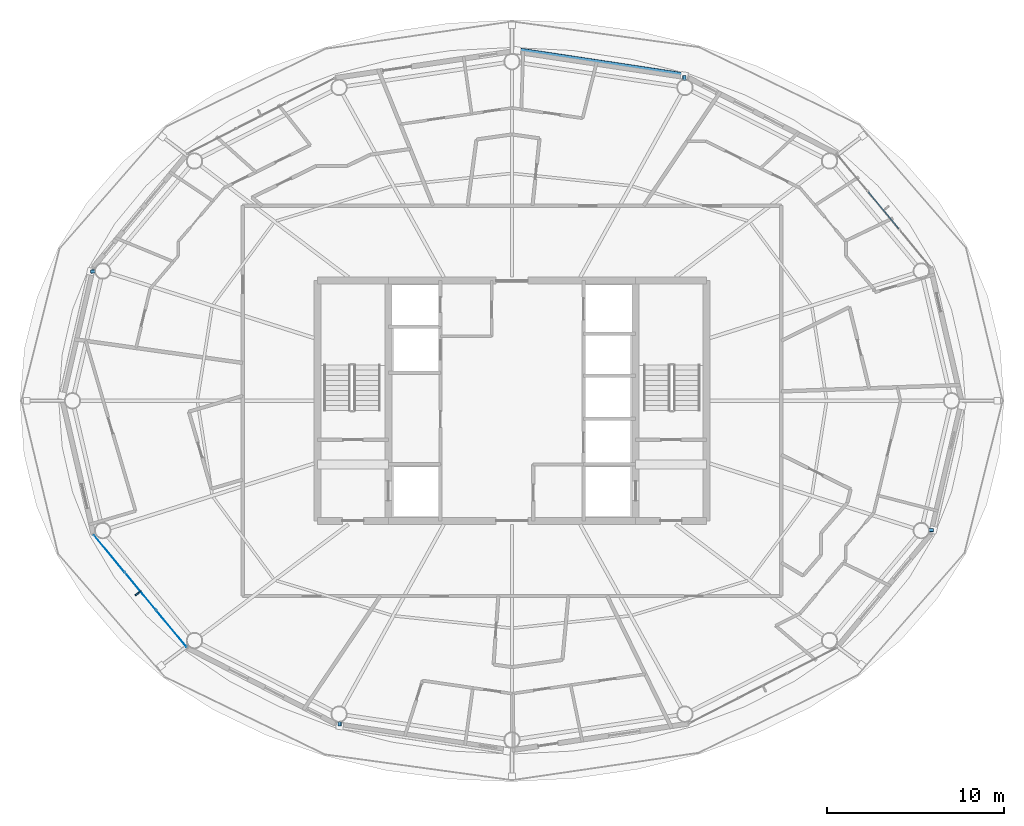
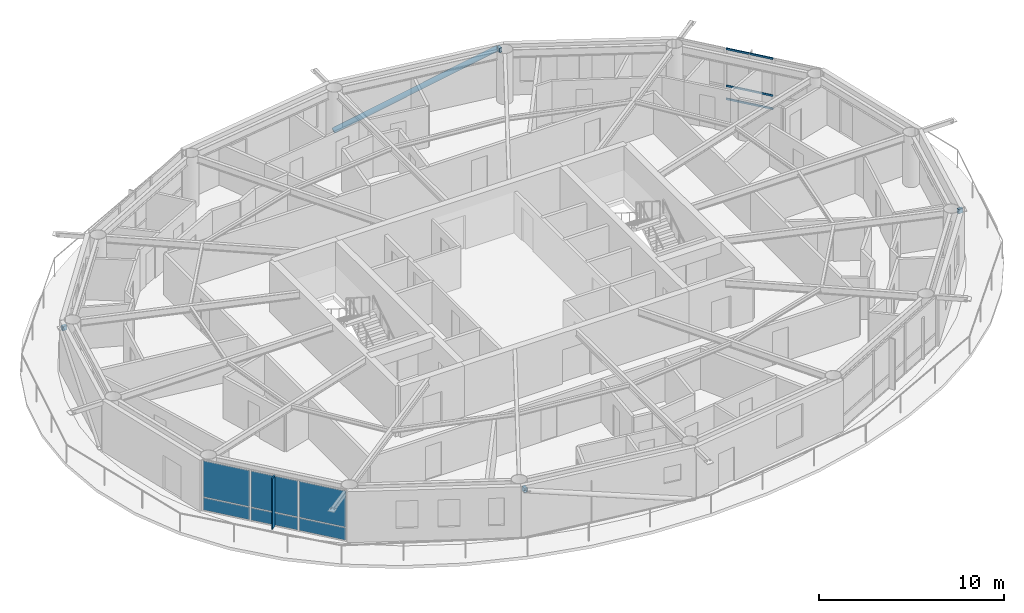
# One storey, part 12 of 23: 8 members, 7 plates, 2 elements without a shape of their own.
"""IFC4 building model written with IfcOpenShell, lengths in metres."""

from ifc_helpers import new_model, si_unit, direction, frame, origin, origin_2d, place, context, subcontext, project, spatial, rectangle, hollow_rectangle, hollow_circle, extrude, material, layer, layer_set, material_profile, profile_set, type_object, element, aggregate, save


model = new_model("IFC4")

# Units and contexts
model_context = context("Model", 3, precision=1e-05, world=origin(), true_north=direction((0.0, 1.0)))
body_context = subcontext(model_context, "Body", "Model", "MODEL_VIEW")
ifc_project = project(units=[si_unit("LENGTHUNIT", "METRE"), si_unit("AREAUNIT", "SQUARE_METRE"), si_unit("VOLUMEUNIT", "CUBIC_METRE"), si_unit("PLANEANGLEUNIT", "RADIAN"), si_unit("MASSUNIT", "GRAM", prefix="KILO")], contexts=[model_context])

# Site, building, storey
site_placement = place(None, origin())
site = spatial("IfcSite", under=ifc_project, at=site_placement, CompositionType="ELEMENT")
building_placement = place(site_placement, origin())
building = spatial("IfcBuilding", under=site, at=building_placement, Name="Sarneth Arch Tower", CompositionType="ELEMENT")
storey_placement = place(building_placement, frame((0.0, 0.0, 231.60009765625)))
storey = spatial("IfcBuildingStorey", under=building, at=storey_placement, Name="L59", CompositionType="ELEMENT", Elevation=231.60009765625)

# Curtain wall, members
ifc_material_1 = material(Name="Anodised aluminium Type AA25 and solar-control low-e laminated IGU", Category="aluminium")
ifc_layer_1 = layer(ifc_material_1, 0.179931640625)
ifc_layer_set_1 = layer_set([ifc_layer_1], Name="Anodised aluminium Type AA25 and solar-control low-e laminated IGU")
curtain_wall_type = type_object("IfcCurtainWallType", Name="CW-RES-HIGH", PredefinedType="NOTDEFINED", material=ifc_layer_set_1)
curtain_wall_1_placement = place(storey_placement, origin())
curtain_wall_1 = element("IfcCurtainWall", 1, at=curtain_wall_1_placement, inside=storey, type_object=curtain_wall_type, Name="L59 Unitised curtain wall facet 02", PredefinedType="NOTDEFINED")
ifc_material_2 = material(Name="Anodised Aluminium 6063-T6", Category="aluminium")
ifc_material_profile_1 = material_profile(ifc_material_2, hollow_rectangle(XDim=0.06005859375, YDim=0.1201171875, WallThickness=0.00390625, at=origin_2d()), Name="AL-TRAN-120x60x4")
ifc_profile_set_1 = profile_set([ifc_material_profile_1], Name="Anodised Aluminium 6063-T6")
member_type_1 = type_object("IfcMemberType", Name="CW-TRANSOM", PredefinedType="USERDEFINED", material=ifc_profile_set_1)
member_1_placement = place(storey_placement, frame((69.904296875, 51.731689453125, 0.02978515625), z_axis=(-0.637617371902, 0.770353222261, 0.0), x_axis=(-0.770353222261, -0.637617371902, 0.0)))
member_1 = element("IfcMember", 2, at=member_1_placement, type_object=member_type_1, Name="CW-SYS-6 transom 2.1", ObjectType="TRANSOM", PredefinedType="USERDEFINED", context=body_context, shape_type="SweptSolid", body=[
    extrude(hollow_rectangle(XDim=0.06005859375, YDim=0.1201171875, WallThickness=0.00390625, at=origin_2d()), origin(), (0.0, 0.0, 1.0), 2.716552734375),
])
member_2_placement = place(storey_placement, frame((69.904296875, 51.731689453125, 0.89990234375), z_axis=(-0.637617371902, 0.770353222261, 0.0), x_axis=(-0.770353222261, -0.637617371902, 0.0)))
member_2 = element("IfcMember", 3, at=member_2_placement, type_object=member_type_1, Name="CW-SYS-6 transom 2.2", ObjectType="TRANSOM", PredefinedType="USERDEFINED", context=body_context, shape_type="SweptSolid", body=[
    extrude(hollow_rectangle(XDim=0.06005859375, YDim=0.1201171875, WallThickness=0.00390625, at=origin_2d()), origin(), (0.0, 0.0, 1.0), 2.716552734375),
])
member_3_placement = place(storey_placement, frame((69.904296875, 51.731689453125, 3.329833984375), z_axis=(-0.637617371902, 0.770353222261, 0.0), x_axis=(-0.770353222261, -0.637617371902, 0.0)))
member_3 = element("IfcMember", 4, at=member_3_placement, type_object=member_type_1, Name="CW-SYS-6 transom 2.3", ObjectType="TRANSOM", PredefinedType="USERDEFINED", context=body_context, shape_type="SweptSolid", body=[
    extrude(hollow_rectangle(XDim=0.06005859375, YDim=0.1201171875, WallThickness=0.00390625, at=origin_2d()), origin(), (0.0, 0.0, 1.0), 2.716552734375),
])
aggregate(curtain_wall_1, [member_1, member_2, member_3])

# Members
ifc_material_3 = material(Name="Steel S355", Category="steel")
ifc_material_profile_2 = material_profile(ifc_material_3, hollow_rectangle(XDim=0.199951171875, YDim=0.300048828125, WallThickness=0.012451171875, InnerFilletRadius=0.018798828125, OuterFilletRadius=0.03125, at=origin_2d()), Name="RHS300x200x12.5")
ifc_profile_set_2 = profile_set([ifc_material_profile_2], Name="Steel S355")
member_type_2 = type_object("IfcMemberType", Name="MEM-CANT-STRUT", PredefinedType="STRUT", material=ifc_profile_set_2)
member_4_placement = place(storey_placement, frame((57.768798828125, 60.142822265625, 3.03662109375), z_axis=(-0.05446449316, 0.998515707931, 0.0), x_axis=(-0.998515707931, -0.05446449316, 0.0)))
element("IfcMember", 5, at=member_4_placement, inside=storey, type_object=member_type_2, Name="L59 Exoskeleton brace node strut 04B", PredefinedType="STRUT", context=body_context, shape_type="SweptSolid", body=[
    extrude(hollow_rectangle(XDim=0.199951171875, YDim=0.300048828125, WallThickness=0.012451171875, InnerFilletRadius=0.018798828125, OuterFilletRadius=0.03125, at=origin_2d()), origin(), (0.0, 0.0, 1.0), 0.26904296875),
])
member_5_placement = place(storey_placement, frame((24.426513671875, 49.32861328125, 3.03662109375), z_axis=(-0.998880000755, -0.047315368457, 0.0), x_axis=(0.047315368457, -0.998880000755, 0.0)))
element("IfcMember", 6, at=member_5_placement, inside=storey, type_object=member_type_2, Name="L59 Exoskeleton brace node strut 08B", PredefinedType="STRUT", context=body_context, shape_type="SweptSolid", body=[
    extrude(hollow_rectangle(XDim=0.199951171875, YDim=0.300048828125, WallThickness=0.012451171875, InnerFilletRadius=0.018798828125, OuterFilletRadius=0.03125, at=origin_2d()), origin(), (0.0, 0.0, 1.0), 0.278564453125),
])
member_6_placement = place(storey_placement, frame((38.231201171875, 23.857177734375, 3.03662109375), z_axis=(0.05446449316, -0.998515707931, 0.0), x_axis=(0.998515707931, 0.05446449316, 0.0)))
element("IfcMember", 7, at=member_6_placement, inside=storey, type_object=member_type_2, Name="L59 Exoskeleton brace node strut 12B", PredefinedType="STRUT", context=body_context, shape_type="SweptSolid", body=[
    extrude(hollow_rectangle(XDim=0.199951171875, YDim=0.300048828125, WallThickness=0.012451171875, InnerFilletRadius=0.018798828125, OuterFilletRadius=0.03125, at=origin_2d()), origin(), (0.0, 0.0, 1.0), 0.26904296875),
])
member_7_placement = place(storey_placement, frame((71.573486328125, 34.67138671875, 3.03662109375), z_axis=(0.998880000755, 0.047315368457, 0.0), x_axis=(-0.047315368457, 0.998880000755, 0.0)))
element("IfcMember", 8, at=member_7_placement, inside=storey, type_object=member_type_2, Name="L59 Exoskeleton brace node strut 16B", PredefinedType="STRUT", context=body_context, shape_type="SweptSolid", body=[
    extrude(hollow_rectangle(XDim=0.199951171875, YDim=0.300048828125, WallThickness=0.012451171875, InnerFilletRadius=0.018798828125, OuterFilletRadius=0.03125, at=origin_2d()), origin(), (0.0, 0.0, 1.0), 0.278564453125),
])
ifc_material_4 = material(Name="Steel S355", Category="steel")
ifc_material_profile_3 = material_profile(ifc_material_4, hollow_circle(Radius=0.162109375, WallThickness=0.012451171875, at=origin_2d()), Name="CHS324x12.5")
ifc_profile_set_3 = profile_set([ifc_material_profile_3], Name="Steel S355")
member_type_3 = type_object("IfcMemberType", Name="MEM-DIAG-BR3", PredefinedType="BRACE", material=ifc_profile_set_3)
member_8_placement = place(storey_placement, frame((48.296630859375, 61.83544921875, 0.02001953125), z_axis=(0.943056107878, -0.142001297879, 0.300800280576), x_axis=(0.148897148305, 0.988852688335, 0.0)))
element("IfcMember", 9, at=member_8_placement, inside=storey, type_object=member_type_3, Name="L59 Perimeter frame diagonal 04", PredefinedType="BRACE", context=body_context, shape_type="SweptSolid", body=[
    extrude(hollow_circle(Radius=0.162109375, WallThickness=0.012451171875, at=origin_2d()), origin(), (0.0, 0.0, 1.0), 10.028564453125),
])

# Curtain wall, plates
curtain_wall_2_placement = place(storey_placement, origin())
curtain_wall_2 = element("IfcCurtainWall", 10, at=curtain_wall_2_placement, inside=storey, type_object=curtain_wall_type, Name="L59 Unitised curtain wall facet 10", PredefinedType="NOTDEFINED")
ifc_material_5 = material(Name="Solar-control low-e laminated IGU", Category="glass")
ifc_layer_2 = layer(ifc_material_5, 0.028076171875)
ifc_layer_set_2 = layer_set([ifc_layer_2], Name="Solar-control low-e laminated IGU")
plate_type_1 = type_object("IfcPlateType", Name="CW-PANEL", PredefinedType="CURTAIN_PANEL", material=ifc_layer_set_2)
plate_1_placement = place(storey_placement, frame((25.200927734375, 33.349365234375, 0.059814453125), z_axis=(0.0, 0.0, 1.0), x_axis=(0.637610094184, -0.770359245933, 0.0)))
plate_1 = element("IfcPlate", 11, at=plate_1_placement, type_object=plate_type_1, Name="Curtain wall glazed vision pane CW-L59-F10/P00-00", PredefinedType="CURTAIN_PANEL", context=body_context, shape_type="SweptSolid", body=[
    extrude(rectangle(XDim=2.686767578125, YDim=0.028076171875, at=origin_2d()), origin(), (0.0, 0.0, 1.0), 0.81005859375),
])
plate_2_placement = place(storey_placement, frame((25.200927734375, 33.349365234375, 0.929931640625), z_axis=(0.0, 0.0, 1.0), x_axis=(0.637610094184, -0.770359245933, 0.0)))
plate_2 = element("IfcPlate", 12, at=plate_2_placement, type_object=plate_type_1, Name="Curtain wall glazed vision pane CW-L59-F10/P00-01", PredefinedType="CURTAIN_PANEL", context=body_context, shape_type="SweptSolid", body=[
    extrude(rectangle(XDim=2.686767578125, YDim=0.028076171875, at=origin_2d()), origin(), (0.0, 0.0, 1.0), 2.3701171875),
])
plate_3_placement = place(storey_placement, frame((26.9619140625, 31.221923828125, 0.059814453125), z_axis=(0.0, 0.0, 1.0), x_axis=(0.637610094184, -0.770359245933, 0.0)))
plate_3 = element("IfcPlate", 13, at=plate_3_placement, type_object=plate_type_1, Name="Curtain wall glazed vision pane CW-L59-F10/P01-00", PredefinedType="CURTAIN_PANEL", context=body_context, shape_type="SweptSolid", body=[
    extrude(rectangle(XDim=2.716552734375, YDim=0.028076171875, at=origin_2d()), origin(), (0.0, 0.0, 1.0), 0.81005859375),
])
plate_4_placement = place(storey_placement, frame((26.9619140625, 31.221923828125, 0.929931640625), z_axis=(0.0, 0.0, 1.0), x_axis=(0.637610094184, -0.770359245933, 0.0)))
plate_4 = element("IfcPlate", 14, at=plate_4_placement, type_object=plate_type_1, Name="Curtain wall glazed vision pane CW-L59-F10/P01-01", PredefinedType="CURTAIN_PANEL", context=body_context, shape_type="SweptSolid", body=[
    extrude(rectangle(XDim=2.716552734375, YDim=0.028076171875, at=origin_2d()), origin(), (0.0, 0.0, 1.0), 2.3701171875),
])
plate_5_placement = place(storey_placement, frame((28.72265625, 29.094482421875, 0.059814453125), z_axis=(0.0, 0.0, 1.0), x_axis=(0.637610094184, -0.770359245933, 0.0)))
plate_5 = element("IfcPlate", 15, at=plate_5_placement, type_object=plate_type_1, Name="Curtain wall glazed vision pane CW-L59-F10/P02-00", PredefinedType="CURTAIN_PANEL", context=body_context, shape_type="SweptSolid", body=[
    extrude(rectangle(XDim=2.686767578125, YDim=0.028076171875, at=origin_2d()), origin(), (0.0, 0.0, 1.0), 0.81005859375),
])
plate_6_placement = place(storey_placement, frame((28.72265625, 29.094482421875, 0.929931640625), z_axis=(0.0, 0.0, 1.0), x_axis=(0.637610094184, -0.770359245933, 0.0)))
plate_6 = element("IfcPlate", 16, at=plate_6_placement, type_object=plate_type_1, Name="Curtain wall glazed vision pane CW-L59-F10/P02-01", PredefinedType="CURTAIN_PANEL", context=body_context, shape_type="SweptSolid", body=[
    extrude(rectangle(XDim=2.686767578125, YDim=0.028076171875, at=origin_2d()), origin(), (0.0, 0.0, 1.0), 2.3701171875),
])
aggregate(curtain_wall_2, [plate_1, plate_2, plate_3, plate_4, plate_5, plate_6])

# Plate
ifc_material_6 = material(Name="Extruded glazed terracotta baguette fin on Aluminium 6063-T6 carrier", Category="masonry")
ifc_layer_3 = layer(ifc_material_6, 0.080078125)
ifc_layer_set_3 = layer_set([ifc_layer_3], Name="Extruded glazed terracotta baguette fin on Aluminium 6063-T6 carrier")
plate_type_2 = type_object("IfcPlateType", Name="SHADE-TERRA-FIN", PredefinedType="SHEET", material=ifc_layer_set_3)
plate_7_placement = place(storey_placement, frame((26.830810546875, 31.113525390625, 0.009765625), z_axis=(0.0, 0.0, 1.0), x_axis=(-0.770401979567, -0.63755845997, 0.0)))
element("IfcPlate", 17, at=plate_7_placement, inside=storey, type_object=plate_type_2, Name="L59 Terracotta vertical shading fin 10", PredefinedType="SHEET", context=body_context, shape_type="SweptSolid", body=[
    extrude(rectangle(XDim=0.419921875, YDim=0.080078125, at=origin_2d()), origin(), (0.0, 0.0, 1.0), 3.340087890625),
])

save(model, "model.ifc")
